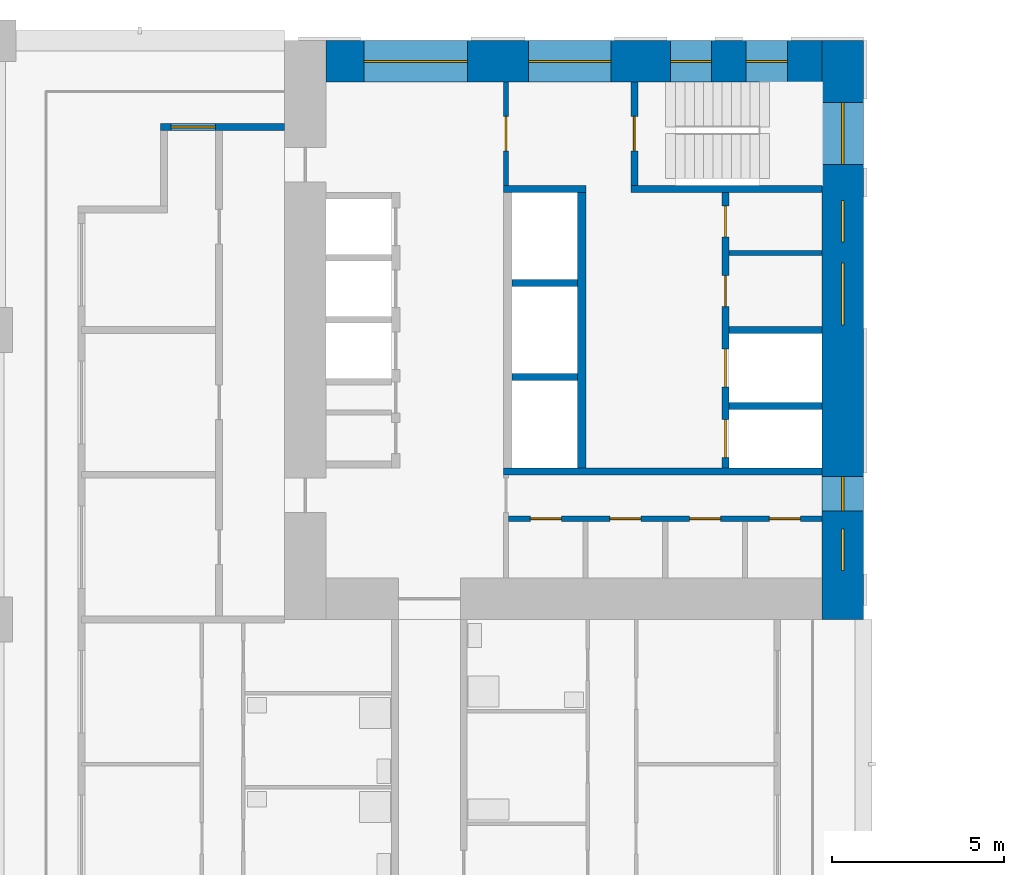
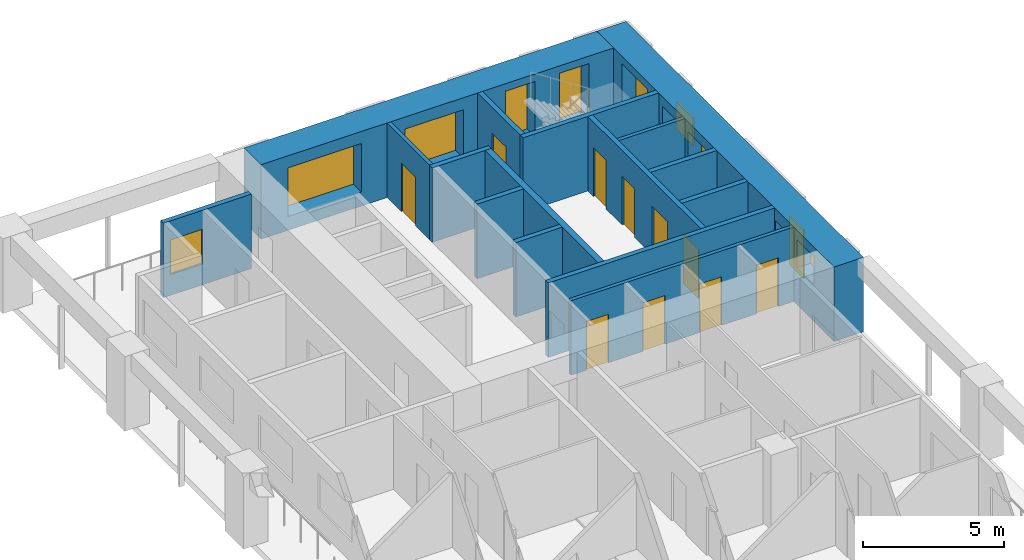
# One storey, part 8 of 17: 16 walls, 10 doors, 10 windows, 20 openings.
"""IFC4 building model written with IfcOpenShell, lengths in metres."""

from ifc_helpers import new_model, si_unit, direction, frame, frame_2d, origin, place, context, subcontext, project, spatial, rectangle, extrude, material, layer, layer_set, type_object, element, fill, save


model = new_model("IFC4")

# Units and contexts
model_context = context("Model", 3, precision=1e-05, world=origin(), true_north=direction((0.0, 1.0)))
body_context = subcontext(model_context, "Body", "Model", "MODEL_VIEW")
ifc_project = project(units=[si_unit("LENGTHUNIT", "METRE"), si_unit("AREAUNIT", "SQUARE_METRE"), si_unit("VOLUMEUNIT", "CUBIC_METRE"), si_unit("PLANEANGLEUNIT", "RADIAN"), si_unit("MASSUNIT", "GRAM", prefix="KILO")], contexts=[model_context])

# Site, building, storey
site_placement = place(None, origin())
site = spatial("IfcSite", under=ifc_project, at=site_placement, CompositionType="ELEMENT")
building_placement = place(site_placement, origin())
building = spatial("IfcBuilding", under=site, at=building_placement, Name="Vermilion Gate Residences", CompositionType="ELEMENT")
storey_placement = place(building_placement, frame((0.0, 0.0, 98.699951171875)))
storey = spatial("IfcBuildingStorey", under=building, at=storey_placement, Name="L24", CompositionType="ELEMENT", Elevation=98.699951171875)

# Wall
ifc_material_1 = material(Name="Masonry blockwork", Category="masonry")
ifc_layer_1 = layer(ifc_material_1, 0.14990234375)
ifc_layer_set_1 = layer_set([ifc_layer_1], Name="BLOCKWORK PARTITION 150 EI 120")
wall_type_1 = type_object("IfcWallType", Name="BLOCKWORK PARTITION 150 EI 120", PredefinedType="PARTITIONING", material=ifc_layer_set_1)
wall_1_placement = place(storey_placement, frame((21.300048828125, 52.637451171875, 0.0), z_axis=(0.0, 0.0, 1.0), x_axis=(1.0, 0.0, 0.0)))
element("IfcWall", 1, at=wall_1_placement, inside=storey, type_object=wall_type_1, Name="Core room partition B24-NR-P0", PredefinedType="PARTITIONING", context=body_context, shape_type="SweptSolid", body=[
    extrude(rectangle(XDim=2.699951171875, YDim=0.14990234375, at=frame_2d((1.35009765625, 0.0))), origin(), (0.0, 0.0, 1.0), 3.219970703125),
])

# Wall, opening, door
wall_2_placement = place(storey_placement, frame((14.824951171875, 57.60009765625, 0.0), z_axis=(0.0, 0.0, 1.0), x_axis=(0.0, -1.0, 0.0)))
wall_2 = element("IfcWall", 2, at=wall_2_placement, inside=storey, type_object=wall_type_1, Name="Core room partition B24-VW-S", PredefinedType="PARTITIONING", context=body_context, shape_type="SweptSolid", body=[
    extrude(rectangle(XDim=3.0, YDim=0.14990234375, at=frame_2d((1.5, 0.0))), origin(), (0.0, 0.0, 1.0), 3.219970703125),
])
opening_1_placement = place(wall_2_placement, frame((1.0, 0.0, 0.0)))
opening_1 = element("IfcOpeningElement", 3, at=opening_1_placement, cuts=wall_2, Name="Opening DK24113", PredefinedType="OPENING", context=body_context, shape_type="SweptSolid", body=[
    extrude(rectangle(XDim=1.0, YDim=2.10009765625, at=frame_2d((0.5, 1.050048828125))), frame((0.0, 0.0849609375, 0.0), z_axis=(0.0, -1.0, 0.0), x_axis=(1.0, 0.0, 0.0)), (0.0, 0.0, 1.0), 0.169921875),
])
ifc_material_2 = material(Name="Steel", Category="steel")
door_type_1 = type_object("IfcDoorType", Name="FIRE DOOR FD60 1000 X 2100", OperationType="SINGLE_SWING_LEFT", PredefinedType="DOOR", material=ifc_material_2)
door_1_placement = place(opening_1_placement, frame((1.0, 0.0, 0.0), z_axis=(0.0, 0.0, 1.0), x_axis=(-1.0, 0.0, 0.0)))
door_1 = element("IfcDoor", 4, at=door_1_placement, inside=storey, type_object=door_type_1, Name="Stair vestibule door B24", OperationType="SINGLE_SWING_RIGHT", OverallHeight=2.10009765625, OverallWidth=1.0, PredefinedType="DOOR", context=body_context, shape_type="SweptSolid", body=[
    extrude(rectangle(XDim=1.0, YDim=2.10009765625, at=frame_2d((0.5, 1.050048828125))), frame((0.0, 0.02490234375, 0.0), z_axis=(0.0, -1.0, 0.0), x_axis=(1.0, 0.0, 0.0)), (0.0, 0.0, 1.0), 0.050048828125),
])
fill(opening_1, door_1)

# Wall, openings, doors
wall_3_placement = place(storey_placement, frame((14.89990234375, 44.925048828125, 0.0), z_axis=(0.0, 0.0, 1.0), x_axis=(1.0, 0.0, 0.0)))
wall_3 = element("IfcWall", 5, at=wall_3_placement, inside=storey, type_object=wall_type_1, Name="Core room partition B24-ES-W", PredefinedType="PARTITIONING", context=body_context, shape_type="SweptSolid", body=[
    extrude(rectangle(XDim=9.10009765625, YDim=0.14990234375, at=frame_2d((4.550048828125, 0.0))), origin(), (0.0, 0.0, 1.0), 3.219970703125),
])
opening_2_placement = place(wall_3_placement, frame((0.63134765625, 0.0, 0.0)))
opening_2 = element("IfcOpeningElement", 6, at=opening_2_placement, cuts=wall_3, Name="Opening DK24116", PredefinedType="OPENING", context=body_context, shape_type="SweptSolid", body=[
    extrude(rectangle(XDim=0.89990234375, YDim=2.10009765625, at=frame_2d((0.449951171875, 1.050048828125))), frame((0.0, 0.0849609375, 0.0), z_axis=(0.0, -1.0, 0.0), x_axis=(1.0, 0.0, 0.0)), (0.0, 0.0, 1.0), 0.169921875),
])
opening_3_placement = place(wall_3_placement, frame((2.94384765625, 0.0, 0.0)))
opening_3 = element("IfcOpeningElement", 7, at=opening_3_placement, cuts=wall_3, Name="Opening DK24117", PredefinedType="OPENING", context=body_context, shape_type="SweptSolid", body=[
    extrude(rectangle(XDim=0.89990234375, YDim=2.10009765625, at=frame_2d((0.449951171875, 1.050048828125))), frame((0.0, 0.0849609375, 0.0), z_axis=(0.0, -1.0, 0.0), x_axis=(1.0, 0.0, 0.0)), (0.0, 0.0, 1.0), 0.169921875),
])
opening_4_placement = place(wall_3_placement, frame((5.25634765625, 0.0, 0.0)))
opening_4 = element("IfcOpeningElement", 8, at=opening_4_placement, cuts=wall_3, Name="Opening DK24118", PredefinedType="OPENING", context=body_context, shape_type="SweptSolid", body=[
    extrude(rectangle(XDim=0.89990234375, YDim=2.10009765625, at=frame_2d((0.449951171875, 1.050048828125))), frame((0.0, 0.0849609375, 0.0), z_axis=(0.0, -1.0, 0.0), x_axis=(1.0, 0.0, 0.0)), (0.0, 0.0, 1.0), 0.169921875),
])
opening_5_placement = place(wall_3_placement, frame((7.56884765625, 0.0, 0.0)))
opening_5 = element("IfcOpeningElement", 9, at=opening_5_placement, cuts=wall_3, Name="Opening DK24119", PredefinedType="OPENING", context=body_context, shape_type="SweptSolid", body=[
    extrude(rectangle(XDim=0.89990234375, YDim=2.10009765625, at=frame_2d((0.449951171875, 1.050048828125))), frame((0.0, 0.0849609375, 0.0), z_axis=(0.0, -1.0, 0.0), x_axis=(1.0, 0.0, 0.0)), (0.0, 0.0, 1.0), 0.169921875),
])
ifc_material_3 = material(Name="Steel", Category="steel")
door_type_2 = type_object("IfcDoorType", Name="SERVICE ROOM DOOR FD60 900 X 2100", OperationType="SINGLE_SWING_LEFT", PredefinedType="DOOR", material=ifc_material_3)
door_2_placement = place(opening_2_placement, frame((0.89990234375, 0.0, 0.0), z_axis=(0.0, 0.0, 1.0), x_axis=(-1.0, 0.0, 0.0)))
door_2 = element("IfcDoor", 10, at=door_2_placement, inside=storey, type_object=door_type_2, Name="Electrical room B24", OperationType="SINGLE_SWING_RIGHT", OverallHeight=2.10009765625, OverallWidth=0.89990234375, PredefinedType="DOOR", context=body_context, shape_type="SweptSolid", body=[
    extrude(rectangle(XDim=0.89990234375, YDim=2.10009765625, at=frame_2d((0.449951171875, 1.050048828125))), frame((0.0, 0.02490234375, 0.0), z_axis=(0.0, -1.0, 0.0), x_axis=(1.0, 0.0, 0.0)), (0.0, 0.0, 1.0), 0.050048828125),
])
fill(opening_2, door_2)
door_3_placement = place(opening_3_placement, frame((0.89990234375, 0.0, 0.0), z_axis=(0.0, 0.0, 1.0), x_axis=(-1.0, 0.0, 0.0)))
door_3 = element("IfcDoor", 11, at=door_3_placement, inside=storey, type_object=door_type_2, Name="Storage room B24", OperationType="SINGLE_SWING_RIGHT", OverallHeight=2.10009765625, OverallWidth=0.89990234375, PredefinedType="DOOR", context=body_context, shape_type="SweptSolid", body=[
    extrude(rectangle(XDim=0.89990234375, YDim=2.10009765625, at=frame_2d((0.449951171875, 1.050048828125))), frame((0.0, 0.02490234375, 0.0), z_axis=(0.0, -1.0, 0.0), x_axis=(1.0, 0.0, 0.0)), (0.0, 0.0, 1.0), 0.050048828125),
])
fill(opening_3, door_3)
door_4_placement = place(opening_4_placement, frame((0.89990234375, 0.0, 0.0), z_axis=(0.0, 0.0, 1.0), x_axis=(-1.0, 0.0, 0.0)))
door_4 = element("IfcDoor", 12, at=door_4_placement, inside=storey, type_object=door_type_2, Name="Storage room B24", OperationType="SINGLE_SWING_RIGHT", OverallHeight=2.10009765625, OverallWidth=0.89990234375, PredefinedType="DOOR", context=body_context, shape_type="SweptSolid", body=[
    extrude(rectangle(XDim=0.89990234375, YDim=2.10009765625, at=frame_2d((0.449951171875, 1.050048828125))), frame((0.0, 0.02490234375, 0.0), z_axis=(0.0, -1.0, 0.0), x_axis=(1.0, 0.0, 0.0)), (0.0, 0.0, 1.0), 0.050048828125),
])
fill(opening_4, door_4)
door_5_placement = place(opening_5_placement, frame((0.89990234375, 0.0, 0.0), z_axis=(0.0, 0.0, 1.0), x_axis=(-1.0, 0.0, 0.0)))
door_5 = element("IfcDoor", 13, at=door_5_placement, inside=storey, type_object=door_type_2, Name="Communications room B24", OperationType="SINGLE_SWING_RIGHT", OverallHeight=2.10009765625, OverallWidth=0.89990234375, PredefinedType="DOOR", context=body_context, shape_type="SweptSolid", body=[
    extrude(rectangle(XDim=0.89990234375, YDim=2.10009765625, at=frame_2d((0.449951171875, 1.050048828125))), frame((0.0, 0.02490234375, 0.0), z_axis=(0.0, -1.0, 0.0), x_axis=(1.0, 0.0, 0.0)), (0.0, 0.0, 1.0), 0.050048828125),
])
fill(opening_5, door_5)

# Wall, opening, window
ifc_material_4 = material(Name="Insulated steel stud wall with terracotta rainscreen", Category="masonry")
ifc_layer_2 = layer(ifc_material_4, 0.199951171875)
ifc_layer_set_2 = layer_set([ifc_layer_2], Name="EXTERNAL WALL 200 TERRACOTTA RAINSCREEN")
wall_type_2 = type_object("IfcWallType", Name="EXTERNAL WALL 200 TERRACOTTA RAINSCREEN", PredefinedType="SOLIDWALL", material=ifc_layer_set_2)
wall_4_placement = place(storey_placement, frame((8.39990234375, 56.300048828125, 0.0), z_axis=(0.0, 0.0, 1.0), x_axis=(-1.0, 0.0, 0.0)))
wall_4 = element("IfcWall", 14, at=wall_4_placement, inside=storey, type_object=wall_type_2, Name="External wall", PredefinedType="SOLIDWALL", context=body_context, shape_type="SweptSolid", body=[
    extrude(rectangle(XDim=3.599853515625, YDim=0.199951171875, at=frame_2d((1.7998046875, 0.0))), origin(), (0.0, 0.0, 1.0), 3.219970703125),
])
opening_6_placement = place(wall_4_placement, frame((2.0, 0.0, 0.89990234375)))
opening_6 = element("IfcOpeningElement", 15, at=opening_6_placement, cuts=wall_4, Name="Opening WE24001", PredefinedType="OPENING", context=body_context, shape_type="SweptSolid", body=[
    extrude(rectangle(XDim=1.300048828125, YDim=1.5, at=frame_2d((0.64990234375, 0.75))), frame((0.0, 0.10986328125, 0.0), z_axis=(0.0, -1.0, 0.0), x_axis=(1.0, 0.0, 0.0)), (0.0, 0.0, 1.0), 0.219970703125),
])
ifc_material_5 = material(Name="Aluminium and clear glass", Category="aluminium")
window_type_1 = type_object("IfcWindowType", Name="WINDOW 1300 X 1500", PartitioningType="SINGLE_PANEL", PredefinedType="WINDOW", material=ifc_material_5)
window_1_placement = place(opening_6_placement, origin())
window_1 = element("IfcWindow", 16, at=window_1_placement, inside=storey, type_object=window_type_1, Name="Window", OverallHeight=1.5, OverallWidth=1.300048828125, PartitioningType="SINGLE_PANEL", PredefinedType="WINDOW", context=body_context, shape_type="SweptSolid", body=[
    extrude(rectangle(XDim=1.300048828125, YDim=1.5, at=frame_2d((0.64990234375, 0.75))), frame((0.0, 0.030029296875, 0.0), z_axis=(0.0, -1.0, 0.0), x_axis=(1.0, 0.0, 0.0)), (0.0, 0.0, 1.0), 0.06005859375),
])
fill(opening_6, window_1)

# Walls
ifc_material_6 = material(Name="Concrete C60", Category="concrete")
ifc_layer_3 = layer(ifc_material_6, 0.199951171875)
ifc_layer_set_3 = layer_set([ifc_layer_3], Name="RC CORE INTERNAL WALL 200 C60")
wall_type_3 = type_object("IfcWallType", Name="RC CORE INTERNAL WALL 200 C60", PredefinedType="SHEAR", material=ifc_layer_set_3)
for number, where, z_axis, x_axis, name in (
    (17, (15.0, 51.7666015625, 0.0), (0.0, 0.0, 1.0), (1.0, 0.0, 0.0), "Core internal wall B24-HR-D1"),
    (18, (15.0, 49.033447265625, 0.0), (0.0, 0.0, 1.0), (1.0, 0.0, 0.0), "Core internal wall B24-HR-D2"),
):
    element("IfcWall", number, at=place(storey_placement, frame(where, z_axis=z_axis, x_axis=x_axis)), inside=storey, type_object=wall_type_3, Name=name, PredefinedType="SHEAR", context=body_context, shape_type="SweptSolid", body=[
        extrude(rectangle(XDim=1.89990234375, YDim=0.199951171875, at=frame_2d((0.949951171875, 0.0))), origin(), (0.0, 0.0, 1.0), 3.219970703125),
    ])
for number, where, z_axis, x_axis, name in (
    (19, (21.300048828125, 50.39990234375, 0.0), (0.0, 0.0, 1.0), (1.0, 0.0, 0.0), "Core internal wall B24-FF-D0"),
    (20, (21.300048828125, 48.199951171875, 0.0), (0.0, 0.0, 1.0), (1.0, 0.0, 0.0), "Core internal wall B24-FF-D1"),
):
    element("IfcWall", number, at=place(storey_placement, frame(where, z_axis=z_axis, x_axis=x_axis)), inside=storey, type_object=wall_type_3, Name=name, PredefinedType="SHEAR", context=body_context, shape_type="SweptSolid", body=[
        extrude(rectangle(XDim=2.699951171875, YDim=0.199951171875, at=frame_2d((1.35009765625, 0.0))), origin(), (0.0, 0.0, 1.0), 3.219970703125),
    ])

# Wall, openings, doors
wall_5_placement = place(storey_placement, frame((21.199951171875, 54.39990234375, 0.0), z_axis=(0.0, 0.0, 1.0), x_axis=(0.0, -1.0, 0.0)))
wall_5 = element("IfcWall", 21, at=wall_5_placement, inside=storey, type_object=wall_type_3, Name="Core internal wall B24-FF-F", PredefinedType="SHEAR", context=body_context, shape_type="SweptSolid", body=[
    extrude(rectangle(XDim=8.0, YDim=0.199951171875, at=frame_2d((4.0, 0.0))), origin(), (0.0, 0.0, 1.0), 3.219970703125),
])
opening_7_placement = place(wall_5_placement, frame((0.393798828125, 0.0, 0.0)))
opening_7 = element("IfcOpeningElement", 22, at=opening_7_placement, cuts=wall_5, Name="Opening DK24109", PredefinedType="OPENING", context=body_context, shape_type="SweptSolid", body=[
    extrude(rectangle(XDim=0.89990234375, YDim=2.10009765625, at=frame_2d((0.449951171875, 1.050048828125))), frame((0.0, 0.10986328125, 0.0), z_axis=(0.0, -1.0, 0.0), x_axis=(1.0, 0.0, 0.0)), (0.0, 0.0, 1.0), 0.219970703125),
])
opening_8_placement = place(wall_5_placement, frame((2.418701171875, 0.0, 0.0)))
opening_8 = element("IfcOpeningElement", 23, at=opening_8_placement, cuts=wall_5, Name="Opening DK24110", PredefinedType="OPENING", context=body_context, shape_type="SweptSolid", body=[
    extrude(rectangle(XDim=0.89990234375, YDim=2.10009765625, at=frame_2d((0.449951171875, 1.050048828125))), frame((0.0, 0.10986328125, 0.0), z_axis=(0.0, -1.0, 0.0), x_axis=(1.0, 0.0, 0.0)), (0.0, 0.0, 1.0), 0.219970703125),
])
opening_9_placement = place(wall_5_placement, frame((4.550048828125, 0.0, 0.0)))
opening_9 = element("IfcOpeningElement", 24, at=opening_9_placement, cuts=wall_5, Name="Opening LD", PredefinedType="OPENING", context=body_context, shape_type="SweptSolid", body=[
    extrude(rectangle(XDim=1.10009765625, YDim=2.10009765625, at=frame_2d((0.550048828125, 1.050048828125))), frame((0.0, 0.10986328125, 0.0), z_axis=(0.0, -1.0, 0.0), x_axis=(1.0, 0.0, 0.0)), (0.0, 0.0, 1.0), 0.219970703125),
])
opening_10_placement = place(wall_5_placement, frame((6.60009765625, 0.0, 0.0)))
opening_10 = element("IfcOpeningElement", 25, at=opening_10_placement, cuts=wall_5, Name="Opening LD", PredefinedType="OPENING", context=body_context, shape_type="SweptSolid", body=[
    extrude(rectangle(XDim=1.10009765625, YDim=2.10009765625, at=frame_2d((0.550048828125, 1.050048828125))), frame((0.0, 0.10986328125, 0.0), z_axis=(0.0, -1.0, 0.0), x_axis=(1.0, 0.0, 0.0)), (0.0, 0.0, 1.0), 0.219970703125),
])
ifc_material_7 = material(Name="Stainless steel", Category="steel")
door_type_3 = type_object("IfcDoorType", Name="LIFT LANDING DOOR E60 1100 X 2100", OperationType="DOUBLE_DOOR_SLIDING", PredefinedType="DOOR", material=ifc_material_7)
door_6_placement = place(opening_9_placement, origin())
door_6 = element("IfcDoor", 26, at=door_6_placement, inside=storey, type_object=door_type_3, Name="Lift landing door LFB1", OperationType="DOUBLE_DOOR_SLIDING", OverallHeight=2.10009765625, OverallWidth=1.10009765625, PredefinedType="DOOR", context=body_context, shape_type="SweptSolid", body=[
    extrude(rectangle(XDim=1.10009765625, YDim=2.10009765625, at=frame_2d((0.550048828125, 1.050048828125))), frame((0.0, 0.02490234375, 0.0), z_axis=(0.0, -1.0, 0.0), x_axis=(1.0, 0.0, 0.0)), (0.0, 0.0, 1.0), 0.050048828125),
])
fill(opening_9, door_6)
door_7_placement = place(opening_10_placement, origin())
door_7 = element("IfcDoor", 27, at=door_7_placement, inside=storey, type_object=door_type_3, Name="Lift landing door LCB1", OperationType="DOUBLE_DOOR_SLIDING", OverallHeight=2.10009765625, OverallWidth=1.10009765625, PredefinedType="DOOR", context=body_context, shape_type="SweptSolid", body=[
    extrude(rectangle(XDim=1.10009765625, YDim=2.10009765625, at=frame_2d((0.550048828125, 1.050048828125))), frame((0.0, 0.02490234375, 0.0), z_axis=(0.0, -1.0, 0.0), x_axis=(1.0, 0.0, 0.0)), (0.0, 0.0, 1.0), 0.050048828125),
])
fill(opening_10, door_7)
door_8_placement = place(opening_7_placement, origin())
door_8 = element("IfcDoor", 28, at=door_8_placement, inside=storey, type_object=door_type_2, Name="Parcel room B24", OperationType="SINGLE_SWING_RIGHT", OverallHeight=2.10009765625, OverallWidth=0.89990234375, PredefinedType="DOOR", context=body_context, shape_type="SweptSolid", body=[
    extrude(rectangle(XDim=0.89990234375, YDim=2.10009765625, at=frame_2d((0.449951171875, 1.050048828125))), frame((0.0, 0.02490234375, 0.0), z_axis=(0.0, -1.0, 0.0), x_axis=(1.0, 0.0, 0.0)), (0.0, 0.0, 1.0), 0.050048828125),
])
fill(opening_7, door_8)
door_9_placement = place(opening_8_placement, frame((0.89990234375, 0.0, 0.0), z_axis=(0.0, 0.0, 1.0), x_axis=(-1.0, 0.0, 0.0)))
door_9 = element("IfcDoor", 29, at=door_9_placement, inside=storey, type_object=door_type_2, Name="Electrical room B24", OperationType="SINGLE_SWING_RIGHT", OverallHeight=2.10009765625, OverallWidth=0.89990234375, PredefinedType="DOOR", context=body_context, shape_type="SweptSolid", body=[
    extrude(rectangle(XDim=0.89990234375, YDim=2.10009765625, at=frame_2d((0.449951171875, 1.050048828125))), frame((0.0, 0.02490234375, 0.0), z_axis=(0.0, -1.0, 0.0), x_axis=(1.0, 0.0, 0.0)), (0.0, 0.0, 1.0), 0.050048828125),
])
fill(opening_8, door_9)

# Walls
wall_6_placement = place(storey_placement, frame((14.75, 54.5, 0.0), z_axis=(0.0, 0.0, 1.0), x_axis=(1.0, 0.0, 0.0)))
element("IfcWall", 30, at=wall_6_placement, inside=storey, type_object=wall_type_3, Name="Core internal wall B24-WDIV1", PredefinedType="SHEAR", context=body_context, shape_type="SweptSolid", body=[
    extrude(rectangle(XDim=2.39990234375, YDim=0.199951171875, at=frame_2d((1.199951171875, 0.0))), origin(), (0.0, 0.0, 1.0), 3.219970703125),
])
wall_7_placement = place(storey_placement, frame((18.449951171875, 54.5, 0.0), z_axis=(0.0, 0.0, 1.0), x_axis=(1.0, 0.0, 0.0)))
element("IfcWall", 31, at=wall_7_placement, inside=storey, type_object=wall_type_3, Name="Core internal wall B24-WDIV2", PredefinedType="SHEAR", context=body_context, shape_type="SweptSolid", body=[
    extrude(rectangle(XDim=5.550048828125, YDim=0.199951171875, at=frame_2d((2.77490234375, 0.0))), origin(), (0.0, 0.0, 1.0), 3.219970703125),
])

# Wall, opening, door
wall_8_placement = place(storey_placement, frame((18.550048828125, 57.60009765625, 0.0), z_axis=(0.0, 0.0, 1.0), x_axis=(0.0, -1.0, 0.0)))
wall_8 = element("IfcWall", 32, at=wall_8_placement, inside=storey, type_object=wall_type_3, Name="Core internal wall B24-STW-S", PredefinedType="SHEAR", context=body_context, shape_type="SweptSolid", body=[
    extrude(rectangle(XDim=3.0, YDim=0.199951171875, at=frame_2d((1.5, 0.0))), origin(), (0.0, 0.0, 1.0), 3.219970703125),
])
opening_11_placement = place(wall_8_placement, frame((1.0, 0.0, 0.0)))
opening_11 = element("IfcOpeningElement", 33, at=opening_11_placement, cuts=wall_8, Name="Opening DK24114", PredefinedType="OPENING", context=body_context, shape_type="SweptSolid", body=[
    extrude(rectangle(XDim=1.0, YDim=2.10009765625, at=frame_2d((0.5, 1.050048828125))), frame((0.0, 0.10986328125, 0.0), z_axis=(0.0, -1.0, 0.0), x_axis=(1.0, 0.0, 0.0)), (0.0, 0.0, 1.0), 0.219970703125),
])
door_10_placement = place(opening_11_placement, origin())
door_10 = element("IfcDoor", 34, at=door_10_placement, inside=storey, type_object=door_type_1, Name="Stair door B24", OperationType="SINGLE_SWING_LEFT", OverallHeight=2.10009765625, OverallWidth=1.0, PredefinedType="DOOR", context=body_context, shape_type="SweptSolid", body=[
    extrude(rectangle(XDim=1.0, YDim=2.10009765625, at=frame_2d((0.5, 1.050048828125))), frame((0.0, 0.02490234375, 0.0), z_axis=(0.0, -1.0, 0.0), x_axis=(1.0, 0.0, 0.0)), (0.0, 0.0, 1.0), 0.050048828125),
])
fill(opening_11, door_10)

# Wall
wall_9_placement = place(storey_placement, frame((14.75, 46.300048828125, 0.0), z_axis=(0.0, 0.0, 1.0), x_axis=(1.0, 0.0, 0.0)))
element("IfcWall", 35, at=wall_9_placement, inside=storey, type_object=wall_type_3, Name="Core internal wall B24-EDIV", PredefinedType="SHEAR", context=body_context, shape_type="SweptSolid", body=[
    extrude(rectangle(XDim=9.25, YDim=0.199951171875, at=frame_2d((4.625, 0.0))), origin(), (0.0, 0.0, 1.0), 3.219970703125),
])

# Wall, openings, windows
ifc_material_8 = material(Name="Concrete C70 red-oxide pigmented", Category="concrete")
ifc_layer_4 = layer(ifc_material_8, 1.199951171875)
ifc_layer_set_4 = layer_set([ifc_layer_4], Name="RC CORE WALL 1200 C70 RED OXIDE")
wall_type_4 = type_object("IfcWallType", Name="RC CORE WALL 1200 C70 RED OXIDE", PredefinedType="SHEAR", material=ifc_layer_set_4)
wall_10_placement = place(storey_placement, frame((24.60009765625, 58.800048828125, 0.0), z_axis=(0.0, 0.0, 1.0), x_axis=(0.0, -1.0, 0.0)))
wall_10 = element("IfcWall", 36, at=wall_10_placement, inside=storey, type_object=wall_type_4, Name="Core wall B24-OUT-B1", PredefinedType="SHEAR", context=body_context, shape_type="SweptSolid", body=[
    extrude(rectangle(XDim=16.800048828125, YDim=1.199951171875, at=frame_2d((8.39990234375, 0.0))), origin(), (0.0, 0.0, 1.0), 3.219970703125),
])
opening_12_placement = place(wall_10_placement, frame((1.800048828125, 0.0, 0.5)))
opening_12 = element("IfcOpeningElement", 37, at=opening_12_placement, cuts=wall_10, Name="Opening WKB2401", PredefinedType="OPENING", context=body_context, shape_type="SweptSolid", body=[
    extrude(rectangle(XDim=1.800048828125, YDim=2.39990234375, at=frame_2d((0.89990234375, 1.199951171875))), frame((0.0, 0.60986328125, 0.0), z_axis=(0.0, -1.0, 0.0), x_axis=(1.0, 0.0, 0.0)), (0.0, 0.0, 1.0), 1.219970703125),
])
opening_13_placement = place(wall_10_placement, frame((4.643798828125, 0.0, 1.60009765625)))
opening_13 = element("IfcOpeningElement", 38, at=opening_13_placement, cuts=wall_10, Name="Opening WKB2402", PredefinedType="OPENING", context=body_context, shape_type="SweptSolid", body=[
    extrude(rectangle(XDim=1.199951171875, YDim=1.199951171875, at=frame_2d((0.60009765625, 0.60009765625))), frame((0.0, 0.60986328125, 0.0), z_axis=(0.0, -1.0, 0.0), x_axis=(1.0, 0.0, 0.0)), (0.0, 0.0, 1.0), 1.219970703125),
])
opening_14_placement = place(wall_10_placement, frame((6.449951171875, 0.0, 1.60009765625)))
opening_14 = element("IfcOpeningElement", 39, at=opening_14_placement, cuts=wall_10, Name="Opening WKB2403", PredefinedType="OPENING", context=body_context, shape_type="SweptSolid", body=[
    extrude(rectangle(XDim=1.800048828125, YDim=1.199951171875, at=frame_2d((0.89990234375, 0.60009765625))), frame((0.0, 0.60986328125, 0.0), z_axis=(0.0, -1.0, 0.0), x_axis=(1.0, 0.0, 0.0)), (0.0, 0.0, 1.0), 1.219970703125),
])
opening_15_placement = place(wall_10_placement, frame((12.64990234375, 0.0, 0.60009765625)))
opening_15 = element("IfcOpeningElement", 40, at=opening_15_placement, cuts=wall_10, Name="Opening WKB2404", PredefinedType="OPENING", context=body_context, shape_type="SweptSolid", body=[
    extrude(rectangle(XDim=1.0, YDim=2.10009765625, at=frame_2d((0.5, 1.050048828125))), frame((0.0, 0.60986328125, 0.0), z_axis=(0.0, -1.0, 0.0), x_axis=(1.0, 0.0, 0.0)), (0.0, 0.0, 1.0), 1.219970703125),
])
opening_16_placement = place(wall_10_placement, frame((14.175048828125, 0.0, 1.60009765625)))
opening_16 = element("IfcOpeningElement", 41, at=opening_16_placement, cuts=wall_10, Name="Opening WKB2405", PredefinedType="OPENING", context=body_context, shape_type="SweptSolid", body=[
    extrude(rectangle(XDim=1.199951171875, YDim=1.199951171875, at=frame_2d((0.60009765625, 0.60009765625))), frame((0.0, 0.60986328125, 0.0), z_axis=(0.0, -1.0, 0.0), x_axis=(1.0, 0.0, 0.0)), (0.0, 0.0, 1.0), 1.219970703125),
])
ifc_material_9 = material(Name="Aluminium and clear glass", Category="aluminium")
window_type_2 = type_object("IfcWindowType", Name="CORE CORRIDOR WINDOW 1000 X 2100", PartitioningType="SINGLE_PANEL", PredefinedType="WINDOW", material=ifc_material_9)
window_2_placement = place(opening_15_placement, origin())
window_2 = element("IfcWindow", 42, at=window_2_placement, inside=storey, type_object=window_type_2, Name="Core corridor window", OverallHeight=2.10009765625, OverallWidth=1.0, PartitioningType="SINGLE_PANEL", PredefinedType="WINDOW", context=body_context, shape_type="SweptSolid", body=[
    extrude(rectangle(XDim=1.0, YDim=2.10009765625, at=frame_2d((0.5, 1.050048828125))), frame((0.0, 0.030029296875, 0.0), z_axis=(0.0, -1.0, 0.0), x_axis=(1.0, 0.0, 0.0)), (0.0, 0.0, 1.0), 0.06005859375),
])
fill(opening_15, window_2)
ifc_material_10 = material(Name="Aluminium frame with louvre blades", Category="aluminium")
window_type_3 = type_object("IfcWindowType", Name="CORE LOUVRE 1200 X 1200", PartitioningType="SINGLE_PANEL", PredefinedType="WINDOW", material=ifc_material_10)
window_3_placement = place(opening_13_placement, origin())
window_3 = element("IfcWindow", 43, at=window_3_placement, inside=storey, type_object=window_type_3, Name="Core louvre", OverallHeight=1.199951171875, OverallWidth=1.199951171875, PartitioningType="SINGLE_PANEL", PredefinedType="WINDOW", context=body_context, shape_type="SweptSolid", body=[
    extrude(rectangle(XDim=1.199951171875, YDim=1.199951171875, at=frame_2d((0.60009765625, 0.60009765625))), frame((0.0, 0.030029296875, 0.0), z_axis=(0.0, -1.0, 0.0), x_axis=(1.0, 0.0, 0.0)), (0.0, 0.0, 1.0), 0.06005859375),
])
fill(opening_13, window_3)
window_4_placement = place(opening_16_placement, origin())
window_4 = element("IfcWindow", 44, at=window_4_placement, inside=storey, type_object=window_type_3, Name="Core louvre", OverallHeight=1.199951171875, OverallWidth=1.199951171875, PartitioningType="SINGLE_PANEL", PredefinedType="WINDOW", context=body_context, shape_type="SweptSolid", body=[
    extrude(rectangle(XDim=1.199951171875, YDim=1.199951171875, at=frame_2d((0.60009765625, 0.60009765625))), frame((0.0, 0.030029296875, 0.0), z_axis=(0.0, -1.0, 0.0), x_axis=(1.0, 0.0, 0.0)), (0.0, 0.0, 1.0), 0.06005859375),
])
fill(opening_16, window_4)
ifc_material_11 = material(Name="Aluminium frame with louvre blades", Category="aluminium")
window_type_4 = type_object("IfcWindowType", Name="CORE LOUVRE 1800 X 1200", PartitioningType="SINGLE_PANEL", PredefinedType="WINDOW", material=ifc_material_11)
window_5_placement = place(opening_14_placement, origin())
window_5 = element("IfcWindow", 45, at=window_5_placement, inside=storey, type_object=window_type_4, Name="Core louvre", OverallHeight=1.199951171875, OverallWidth=1.800048828125, PartitioningType="SINGLE_PANEL", PredefinedType="WINDOW", context=body_context, shape_type="SweptSolid", body=[
    extrude(rectangle(XDim=1.800048828125, YDim=1.199951171875, at=frame_2d((0.89990234375, 0.60009765625))), frame((0.0, 0.030029296875, 0.0), z_axis=(0.0, -1.0, 0.0), x_axis=(1.0, 0.0, 0.0)), (0.0, 0.0, 1.0), 0.06005859375),
])
fill(opening_14, window_5)
ifc_material_12 = material(Name="Aluminium and clear glass", Category="aluminium")
window_type_5 = type_object("IfcWindowType", Name="CORE STAIR WINDOW 1800 X 2400", PartitioningType="SINGLE_PANEL", PredefinedType="WINDOW", material=ifc_material_12)
window_6_placement = place(opening_12_placement, origin())
window_6 = element("IfcWindow", 46, at=window_6_placement, inside=storey, type_object=window_type_5, Name="Core stair window", OverallHeight=2.39990234375, OverallWidth=1.800048828125, PartitioningType="SINGLE_PANEL", PredefinedType="WINDOW", context=body_context, shape_type="SweptSolid", body=[
    extrude(rectangle(XDim=1.800048828125, YDim=2.39990234375, at=frame_2d((0.89990234375, 1.199951171875))), frame((0.0, 0.030029296875, 0.0), z_axis=(0.0, -1.0, 0.0), x_axis=(1.0, 0.0, 0.0)), (0.0, 0.0, 1.0), 0.06005859375),
])
fill(opening_12, window_6)

wall_11_placement = place(storey_placement, frame((9.60009765625, 58.199951171875, 0.0), z_axis=(0.0, 0.0, 1.0), x_axis=(1.0, 0.0, 0.0)))
wall_11 = element("IfcWall", 47, at=wall_11_placement, inside=storey, type_object=wall_type_4, Name="Core wall B24-OUT-FR", PredefinedType="SHEAR", context=body_context, shape_type="SweptSolid", body=[
    extrude(rectangle(XDim=14.39990234375, YDim=1.199951171875, at=frame_2d((7.199951171875, 0.0))), origin(), (0.0, 0.0, 1.0), 3.219970703125),
])
opening_17_placement = place(wall_11_placement, frame((1.10498046875, 0.0, 0.60009765625)))
opening_17 = element("IfcOpeningElement", 48, at=opening_17_placement, cuts=wall_11, Name="Opening WKB2406", PredefinedType="OPENING", context=body_context, shape_type="SweptSolid", body=[
    extrude(rectangle(XDim=3.0, YDim=2.10009765625, at=frame_2d((1.5, 1.050048828125))), frame((0.0, 0.60986328125, 0.0), z_axis=(0.0, -1.0, 0.0), x_axis=(1.0, 0.0, 0.0)), (0.0, 0.0, 1.0), 1.219970703125),
])
opening_18_placement = place(wall_11_placement, frame((5.875, 0.0, 0.60009765625)))
opening_18 = element("IfcOpeningElement", 49, at=opening_18_placement, cuts=wall_11, Name="Opening WKB2407", PredefinedType="OPENING", context=body_context, shape_type="SweptSolid", body=[
    extrude(rectangle(XDim=2.39990234375, YDim=2.10009765625, at=frame_2d((1.199951171875, 1.050048828125))), frame((0.0, 0.60986328125, 0.0), z_axis=(0.0, -1.0, 0.0), x_axis=(1.0, 0.0, 0.0)), (0.0, 0.0, 1.0), 1.219970703125),
])
opening_19_placement = place(wall_11_placement, frame((9.993408203125, 0.0, 0.5)))
opening_19 = element("IfcOpeningElement", 50, at=opening_19_placement, cuts=wall_11, Name="Opening WKB2408", PredefinedType="OPENING", context=body_context, shape_type="SweptSolid", body=[
    extrude(rectangle(XDim=1.199951171875, YDim=2.39990234375, at=frame_2d((0.60009765625, 1.199951171875))), frame((0.0, 0.60986328125, 0.0), z_axis=(0.0, -1.0, 0.0), x_axis=(1.0, 0.0, 0.0)), (0.0, 0.0, 1.0), 1.219970703125),
])
opening_20_placement = place(wall_11_placement, frame((12.19677734375, 0.0, 0.5)))
opening_20 = element("IfcOpeningElement", 51, at=opening_20_placement, cuts=wall_11, Name="Opening WKB2409", PredefinedType="OPENING", context=body_context, shape_type="SweptSolid", body=[
    extrude(rectangle(XDim=1.199951171875, YDim=2.39990234375, at=frame_2d((0.60009765625, 1.199951171875))), frame((0.0, 0.60986328125, 0.0), z_axis=(0.0, -1.0, 0.0), x_axis=(1.0, 0.0, 0.0)), (0.0, 0.0, 1.0), 1.219970703125),
])
ifc_material_13 = material(Name="Aluminium and clear glass", Category="aluminium")
window_type_6 = type_object("IfcWindowType", Name="CORE LOBBY WINDOW 2400 X 2100", PartitioningType="SINGLE_PANEL", PredefinedType="WINDOW", material=ifc_material_13)
window_7_placement = place(opening_18_placement, origin())
window_7 = element("IfcWindow", 52, at=window_7_placement, inside=storey, type_object=window_type_6, Name="Core lobby window", OverallHeight=2.10009765625, OverallWidth=2.39990234375, PartitioningType="SINGLE_PANEL", PredefinedType="WINDOW", context=body_context, shape_type="SweptSolid", body=[
    extrude(rectangle(XDim=2.39990234375, YDim=2.10009765625, at=frame_2d((1.199951171875, 1.050048828125))), frame((0.0, 0.030029296875, 0.0), z_axis=(0.0, -1.0, 0.0), x_axis=(1.0, 0.0, 0.0)), (0.0, 0.0, 1.0), 0.06005859375),
])
fill(opening_18, window_7)
ifc_material_14 = material(Name="Aluminium and clear glass", Category="aluminium")
window_type_7 = type_object("IfcWindowType", Name="CORE LOBBY WINDOW 3000 X 2100", PartitioningType="SINGLE_PANEL", PredefinedType="WINDOW", material=ifc_material_14)
window_8_placement = place(opening_17_placement, origin())
window_8 = element("IfcWindow", 53, at=window_8_placement, inside=storey, type_object=window_type_7, Name="Core lobby window", OverallHeight=2.10009765625, OverallWidth=3.0, PartitioningType="SINGLE_PANEL", PredefinedType="WINDOW", context=body_context, shape_type="SweptSolid", body=[
    extrude(rectangle(XDim=3.0, YDim=2.10009765625, at=frame_2d((1.5, 1.050048828125))), frame((0.0, 0.030029296875, 0.0), z_axis=(0.0, -1.0, 0.0), x_axis=(1.0, 0.0, 0.0)), (0.0, 0.0, 1.0), 0.06005859375),
])
fill(opening_17, window_8)
ifc_material_15 = material(Name="Aluminium and clear glass", Category="aluminium")
window_type_8 = type_object("IfcWindowType", Name="CORE STAIR WINDOW 1200 X 2400", PartitioningType="SINGLE_PANEL", PredefinedType="WINDOW", material=ifc_material_15)
window_9_placement = place(opening_19_placement, origin())
window_9 = element("IfcWindow", 54, at=window_9_placement, inside=storey, type_object=window_type_8, Name="Core stair window", OverallHeight=2.39990234375, OverallWidth=1.199951171875, PartitioningType="SINGLE_PANEL", PredefinedType="WINDOW", context=body_context, shape_type="SweptSolid", body=[
    extrude(rectangle(XDim=1.199951171875, YDim=2.39990234375, at=frame_2d((0.60009765625, 1.199951171875))), frame((0.0, 0.030029296875, 0.0), z_axis=(0.0, -1.0, 0.0), x_axis=(1.0, 0.0, 0.0)), (0.0, 0.0, 1.0), 0.06005859375),
])
fill(opening_19, window_9)
window_10_placement = place(opening_20_placement, origin())
window_10 = element("IfcWindow", 55, at=window_10_placement, inside=storey, type_object=window_type_8, Name="Core stair window", OverallHeight=2.39990234375, OverallWidth=1.199951171875, PartitioningType="SINGLE_PANEL", PredefinedType="WINDOW", context=body_context, shape_type="SweptSolid", body=[
    extrude(rectangle(XDim=1.199951171875, YDim=2.39990234375, at=frame_2d((0.60009765625, 1.199951171875))), frame((0.0, 0.030029296875, 0.0), z_axis=(0.0, -1.0, 0.0), x_axis=(1.0, 0.0, 0.0)), (0.0, 0.0, 1.0), 0.06005859375),
])
fill(opening_20, window_10)

# Wall
ifc_material_16 = material(Name="Concrete C60", Category="concrete")
ifc_layer_5 = layer(ifc_material_16, 0.25)
ifc_layer_set_5 = layer_set([ifc_layer_5], Name="RC LIFT SHAFT WALL 250 C60")
wall_type_5 = type_object("IfcWallType", Name="RC LIFT SHAFT WALL 250 C60", PredefinedType="SHEAR", material=ifc_layer_set_5)
wall_12_placement = place(storey_placement, frame((17.02490234375, 54.39990234375, 0.0), z_axis=(0.0, 0.0, 1.0), x_axis=(0.0, -1.0, 0.0)))
element("IfcWall", 56, at=wall_12_placement, inside=storey, type_object=wall_type_5, Name="Lift shaft wall B24-HR-B", PredefinedType="SHEAR", context=body_context, shape_type="SweptSolid", body=[
    extrude(rectangle(XDim=8.0, YDim=0.25, at=frame_2d((4.0, 0.0))), origin(), (0.0, 0.0, 1.0), 3.219970703125),
])

save(model, "model.ifc")
